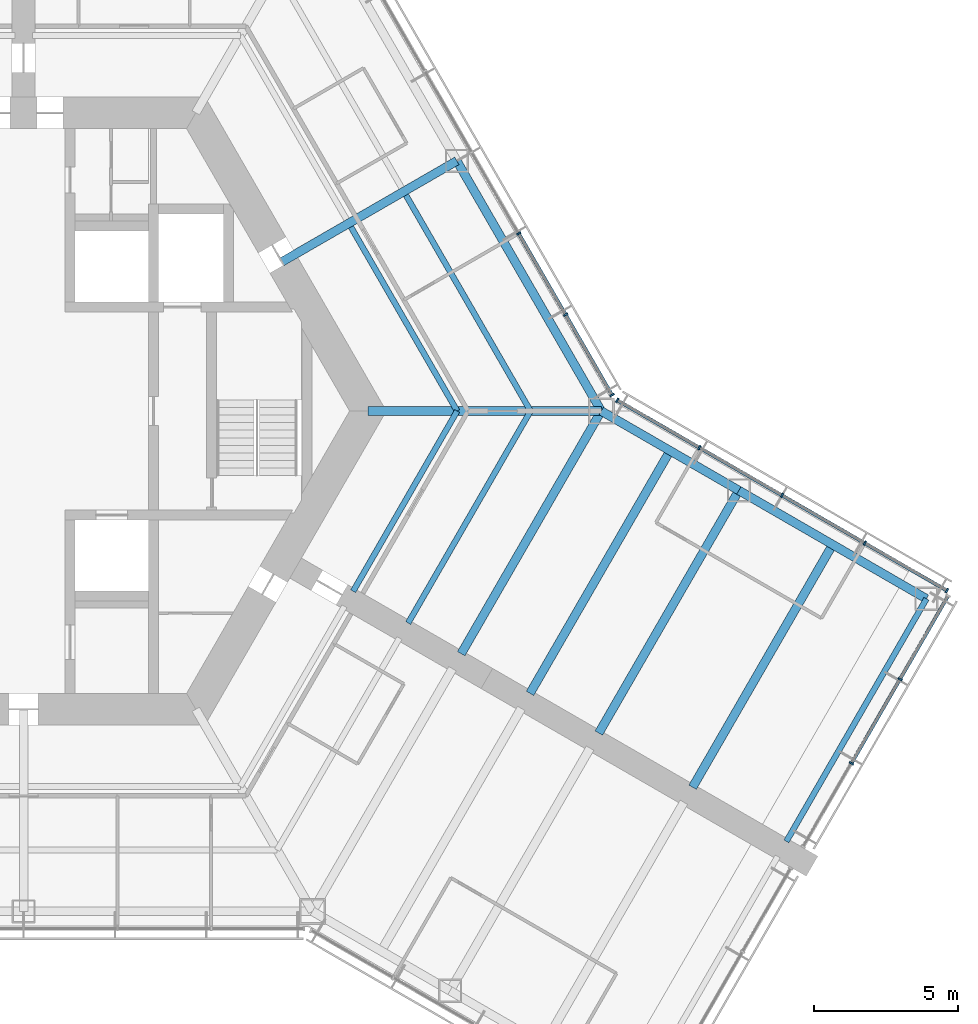
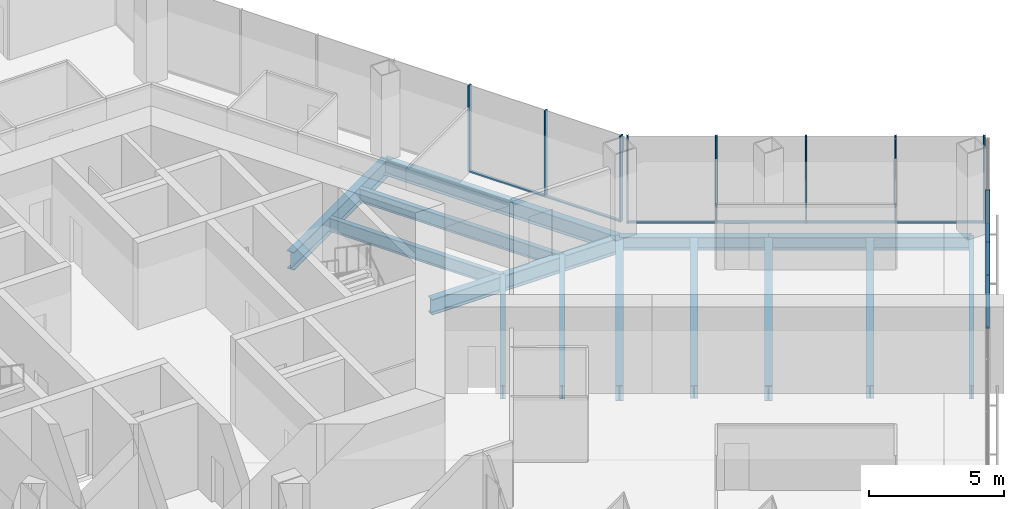
# One storey, part 6 of 19: 18 members, 14 beams, 3 elements without a shape of their own.
"""IFC4 building model written with IfcOpenShell, lengths in metres."""

from ifc_helpers import new_model, si_unit, direction, frame, origin, origin_2d, place, context, subcontext, project, spatial, rectangle, i_section, extrude, material, material_profile, profile_set, type_object, element, aggregate, save


model = new_model("IFC4")

# Units and contexts
model_context = context("Model", 3, precision=1e-05, world=origin(), true_north=direction((0.0, 1.0)))
body_context = subcontext(model_context, "Body", "Model", "MODEL_VIEW")
ifc_project = project(units=[si_unit("LENGTHUNIT", "METRE"), si_unit("AREAUNIT", "SQUARE_METRE"), si_unit("VOLUMEUNIT", "CUBIC_METRE"), si_unit("PLANEANGLEUNIT", "RADIAN"), si_unit("MASSUNIT", "GRAM", prefix="KILO")], contexts=[model_context])

# Site, building, storey
site_placement = place(None, origin())
site = spatial("IfcSite", under=ifc_project, at=site_placement, CompositionType="ELEMENT")
building_placement = place(site_placement, origin())
building = spatial("IfcBuilding", under=site, at=building_placement, Name="Kasaneha Research Tower", CompositionType="ELEMENT")
storey_placement = place(building_placement, frame((0.0, 0.0, 92.39990234375)))
storey = spatial("IfcBuildingStorey", under=building, at=storey_placement, Name="L23", CompositionType="ELEMENT", Elevation=92.39990234375)

# Beams
ifc_material_1 = material(Name="Steel SN490B", Category="steel")
ifc_material_profile_1 = material_profile(ifc_material_1, i_section(OverallWidth=0.199951171875, OverallDepth=0.60009765625, WebThickness=0.010986328125, FlangeThickness=0.01708984375, FilletRadius=0.012939453125, at=origin_2d()), Name="H-600x200x11x17")
ifc_profile_set_1 = profile_set([ifc_material_profile_1], Name="Steel SN490B")
beam_type_1 = type_object("IfcBeamType", Name="B1-3 secondary beam H-600x200x11x17", PredefinedType="JOIST", material=ifc_profile_set_1)
beam_1_placement = place(storey_placement, frame((15.010986328125, 0.0, -0.449951171875), z_axis=(-0.499994443168, 0.866028611999, 0.0), x_axis=(-0.866028611999, -0.499994443168, 0.0)))
element("IfcBeam", 1, at=beam_1_placement, inside=storey, type_object=beam_type_1, Name="Secondary beam RS030L1 L23", PredefinedType="JOIST", context=body_context, shape_type="SweptSolid", body=[
    extrude(i_section(OverallWidth=0.199951171875, OverallDepth=0.60009765625, WebThickness=0.010986328125, FlangeThickness=0.01708984375, FilletRadius=0.012939453125, at=origin_2d()), origin(), (0.0, 0.0, 1.0), 7.35546875),
])
beam_2_placement = place(storey_placement, frame((17.551513671875, 0.0, -0.449951171875), z_axis=(-0.5000050195, 0.866022505755, 0.0), x_axis=(-0.866022505755, -0.5000050195, 0.0)))
element("IfcBeam", 2, at=beam_2_placement, inside=storey, type_object=beam_type_1, Name="Secondary beam RS030L2 L23", PredefinedType="JOIST", context=body_context, shape_type="SweptSolid", body=[
    extrude(i_section(OverallWidth=0.199951171875, OverallDepth=0.60009765625, WebThickness=0.010986328125, FlangeThickness=0.01708984375, FilletRadius=0.012939453125, at=origin_2d()), origin(), (0.0, 0.0, 1.0), 8.6259765625),
])
beam_3_placement = place(storey_placement, frame((15.010986328125, 0.0, -0.449951171875), z_axis=(-0.499972735707, -0.866041144259, 0.0), x_axis=(0.866041144259, -0.499972735707, 0.0)))
element("IfcBeam", 3, at=beam_3_placement, inside=storey, type_object=beam_type_1, Name="Secondary beam RS330R1 L23", PredefinedType="JOIST", context=body_context, shape_type="SweptSolid", body=[
    extrude(i_section(OverallWidth=0.199951171875, OverallDepth=0.60009765625, WebThickness=0.010986328125, FlangeThickness=0.01708984375, FilletRadius=0.012939453125, at=origin_2d()), origin(), (0.0, 0.0, 1.0), 7.20556640625),
])
beam_4_placement = place(storey_placement, frame((17.551513671875, 0.0, -0.449951171875), z_axis=(-0.500020829043, -0.866013377797, 0.0), x_axis=(0.866013377797, -0.500020829043, 0.0)))
element("IfcBeam", 4, at=beam_4_placement, inside=storey, type_object=beam_type_1, Name="Secondary beam RS330R2 L23", PredefinedType="JOIST", context=body_context, shape_type="SweptSolid", body=[
    extrude(i_section(OverallWidth=0.199951171875, OverallDepth=0.60009765625, WebThickness=0.010986328125, FlangeThickness=0.01708984375, FilletRadius=0.012939453125, at=origin_2d()), origin(), (0.0, 0.0, 1.0), 8.475830078125),
])
ifc_material_2 = material(Name="Steel SN490B", Category="steel")
ifc_material_profile_2 = material_profile(ifc_material_2, i_section(OverallWidth=0.300048828125, OverallDepth=0.58203125, WebThickness=0.011962890625, FlangeThickness=0.01708984375, FilletRadius=0.012939453125, at=origin_2d()), Name="H-582x300x12x17")
ifc_profile_set_2 = profile_set([ifc_material_profile_2], Name="Steel SN490B")
beam_type_2 = type_object("IfcBeamType", Name="B2-3 secondary beam H-582x300x12x17", PredefinedType="JOIST", material=ifc_profile_set_2)
for number, where, z_axis, x_axis, name in (
    (5, (22.381591796875, -1.375, -0.44091796875), (-0.500010041276, -0.866019606374, 0.0), (0.866019606374, -0.500010041276, 0.0), "Secondary beam WBCN1 L23"),
    (6, (28.0107421875, -4.625, -0.44091796875), (-0.500010041276, -0.866019606374, 0.0), (0.866019606374, -0.500010041276, 0.0), "Secondary beam WBCN2 L23"),
):
    element("IfcBeam", number, at=place(storey_placement, frame(where, z_axis=z_axis, x_axis=x_axis)), inside=storey, type_object=beam_type_2, Name=name, PredefinedType="JOIST", context=body_context, shape_type="SweptSolid", body=[
        extrude(i_section(OverallWidth=0.300048828125, OverallDepth=0.58203125, WebThickness=0.011962890625, FlangeThickness=0.01708984375, FilletRadius=0.012939453125, at=origin_2d()), origin(), (0.0, 0.0, 1.0), 9.699951171875),
    ])

# Curtain wall, members
ifc_material_3 = material(Name="Glass and aluminium", Category="aluminium")
curtain_wall_type = type_object("IfcCurtainWallType", Name="Low-rise office curtain wall", PredefinedType="USERDEFINED", material=ifc_material_3)
curtain_wall_1_placement = place(storey_placement, origin())
curtain_wall_1 = element("IfcCurtainWall", 7, at=curtain_wall_1_placement, inside=storey, type_object=curtain_wall_type, Name="CW-O1 L23 run 05a", ObjectType="UNITISED CURTAIN WALL", PredefinedType="USERDEFINED")
ifc_material_4 = material(Name="Aluminium 6063-T6", Category="aluminium")
ifc_material_profile_3 = material_profile(ifc_material_4, rectangle(XDim=0.06005859375, YDim=0.159912109375, at=origin_2d()), Name="CW-O1 mullion 60x160")
ifc_profile_set_3 = profile_set([ifc_material_profile_3], Name="Aluminium 6063-T6")
member_type_1 = type_object("IfcMemberType", Name="CW-O1 mullion", PredefinedType="MULLION", material=ifc_profile_set_3)
member_1_placement = place(storey_placement, frame((28.661376953125, -12.1982421875, 0.0), z_axis=(0.0, 0.0, 1.0), x_axis=(0.500000011442, 0.866025397178, 0.0)))
member_1 = element("IfcMember", 8, at=member_1_placement, type_object=member_type_1, Name="CW-O1 mullion 2", PredefinedType="MULLION", context=body_context, shape_type="SweptSolid", body=[
    extrude(rectangle(XDim=0.06005859375, YDim=0.159912109375, at=origin_2d()), origin(), (0.0, 0.0, 1.0), 3.900146484375),
])
member_2_placement = place(storey_placement, frame((30.3447265625, -9.28271484375, 0.0), z_axis=(0.0, 0.0, 1.0), x_axis=(0.500000011442, 0.866025397178, 0.0)))
member_2 = element("IfcMember", 9, at=member_2_placement, type_object=member_type_1, Name="CW-O1 mullion 3", PredefinedType="MULLION", context=body_context, shape_type="SweptSolid", body=[
    extrude(rectangle(XDim=0.06005859375, YDim=0.159912109375, at=origin_2d()), origin(), (0.0, 0.0, 1.0), 3.900146484375),
])

curtain_wall_2_placement = place(storey_placement, origin())
curtain_wall_2 = element("IfcCurtainWall", 10, at=curtain_wall_2_placement, inside=storey, type_object=curtain_wall_type, Name="CW-O1 L23 run 06a", ObjectType="UNITISED CURTAIN WALL", PredefinedType="USERDEFINED")
member_3_placement = place(storey_placement, frame((31.96533203125, -6.21533203125, 0.0), z_axis=(0.0, 0.0, 1.0), x_axis=(-0.866025411464, 0.499999986699, 0.0)))
member_3 = element("IfcMember", 11, at=member_3_placement, type_object=member_type_1, Name="CW-O1 mullion 1", PredefinedType="MULLION", context=body_context, shape_type="SweptSolid", body=[
    extrude(rectangle(XDim=0.06005859375, YDim=0.159912109375, at=origin_2d()), origin(), (0.0, 0.0, 1.0), 3.900146484375),
])
member_4_placement = place(storey_placement, frame((29.125, -4.575439453125, 0.0), z_axis=(0.0, 0.0, 1.0), x_axis=(-0.866025411464, 0.499999986699, 0.0)))
member_4 = element("IfcMember", 12, at=member_4_placement, type_object=member_type_1, Name="CW-O1 mullion 2", PredefinedType="MULLION", context=body_context, shape_type="SweptSolid", body=[
    extrude(rectangle(XDim=0.06005859375, YDim=0.159912109375, at=origin_2d()), origin(), (0.0, 0.0, 1.0), 3.900146484375),
])
member_5_placement = place(storey_placement, frame((26.258544921875, -2.920654296875, 0.0), z_axis=(0.0, 0.0, 1.0), x_axis=(-0.866025411464, 0.499999986699, 0.0)))
member_5 = element("IfcMember", 13, at=member_5_placement, type_object=member_type_1, Name="CW-O1 mullion 3", PredefinedType="MULLION", context=body_context, shape_type="SweptSolid", body=[
    extrude(rectangle(XDim=0.06005859375, YDim=0.159912109375, at=origin_2d()), origin(), (0.0, 0.0, 1.0), 3.900146484375),
])
member_6_placement = place(storey_placement, frame((23.39208984375, -1.265625, 0.0), z_axis=(0.0, 0.0, 1.0), x_axis=(-0.866025411464, 0.499999986699, 0.0)))
member_6 = element("IfcMember", 14, at=member_6_placement, type_object=member_type_1, Name="CW-O1 mullion 4", PredefinedType="MULLION", context=body_context, shape_type="SweptSolid", body=[
    extrude(rectangle(XDim=0.06005859375, YDim=0.159912109375, at=origin_2d()), origin(), (0.0, 0.0, 1.0), 3.900146484375),
])
member_7_placement = place(storey_placement, frame((20.5517578125, 0.374267578125, 0.0), z_axis=(0.0, 0.0, 1.0), x_axis=(-0.866025411464, 0.499999986699, 0.0)))
member_7 = element("IfcMember", 15, at=member_7_placement, type_object=member_type_1, Name="CW-O1 mullion 5", PredefinedType="MULLION", context=body_context, shape_type="SweptSolid", body=[
    extrude(rectangle(XDim=0.06005859375, YDim=0.159912109375, at=origin_2d()), origin(), (0.0, 0.0, 1.0), 3.900146484375),
])

curtain_wall_3_placement = place(storey_placement, origin())
curtain_wall_3 = element("IfcCurtainWall", 16, at=curtain_wall_3_placement, inside=storey, type_object=curtain_wall_type, Name="CW-O1 L23 run 07a", ObjectType="UNITISED CURTAIN WALL", PredefinedType="USERDEFINED")
member_8_placement = place(storey_placement, frame((20.374267578125, 0.5517578125, 0.0), z_axis=(0.0, 0.0, 1.0), x_axis=(-0.49999996188, 0.866025425793, 0.0)))
member_8 = element("IfcMember", 17, at=member_8_placement, type_object=member_type_1, Name="CW-O1 mullion 1", PredefinedType="MULLION", context=body_context, shape_type="SweptSolid", body=[
    extrude(rectangle(XDim=0.06005859375, YDim=0.159912109375, at=origin_2d()), origin(), (0.0, 0.0, 1.0), 3.900146484375),
])
member_9_placement = place(storey_placement, frame((18.76611328125, 3.33740234375, 0.0), z_axis=(0.0, 0.0, 1.0), x_axis=(-0.49999996188, 0.866025425793, 0.0)))
member_9 = element("IfcMember", 18, at=member_9_placement, type_object=member_type_1, Name="CW-O1 mullion 2", PredefinedType="MULLION", context=body_context, shape_type="SweptSolid", body=[
    extrude(rectangle(XDim=0.06005859375, YDim=0.159912109375, at=origin_2d()), origin(), (0.0, 0.0, 1.0), 3.900146484375),
])
member_10_placement = place(storey_placement, frame((17.142822265625, 6.148681640625, 0.0), z_axis=(0.0, 0.0, 1.0), x_axis=(-0.49999996188, 0.866025425793, 0.0)))
member_10 = element("IfcMember", 19, at=member_10_placement, type_object=member_type_1, Name="CW-O1 mullion 3", PredefinedType="MULLION", context=body_context, shape_type="SweptSolid", body=[
    extrude(rectangle(XDim=0.06005859375, YDim=0.159912109375, at=origin_2d()), origin(), (0.0, 0.0, 1.0), 3.900146484375),
])

# Member
ifc_material_5 = material(Name="Aluminium 6063-T6", Category="aluminium")
ifc_material_profile_4 = material_profile(ifc_material_5, rectangle(XDim=0.1201171875, YDim=0.06005859375, at=origin_2d()), Name="CW-O1 transom 120x60")
ifc_profile_set_4 = profile_set([ifc_material_profile_4], Name="Aluminium 6063-T6")
member_type_2 = type_object("IfcMemberType", Name="CW-O1 transom", PredefinedType="USERDEFINED", material=ifc_profile_set_4)
member_11_placement = place(storey_placement, frame((28.67626953125, -12.17236328125, 0.030029296875), z_axis=(0.499982354831, 0.866035590988, 0.0), x_axis=(-0.866035590988, 0.499982354831, 0.0)))
member_11 = element("IfcMember", 20, at=member_11_placement, type_object=member_type_2, Name="CW-O1 transom 2", ObjectType="TRANSOM", PredefinedType="USERDEFINED", context=body_context, shape_type="SweptSolid", body=[
    extrude(rectangle(XDim=0.1201171875, YDim=0.06005859375, at=origin_2d()), origin(), (0.0, 0.0, 1.0), 3.306640625),
])

member_12_placement = place(storey_placement, frame((30.359619140625, -9.256591796875, 0.030029296875), z_axis=(0.500025583411, 0.866010632691, 0.0), x_axis=(-0.866010632691, 0.500025583411, 0.0)))
member_12 = element("IfcMember", 21, at=member_12_placement, type_object=member_type_2, Name="CW-O1 transom 3", ObjectType="TRANSOM", PredefinedType="USERDEFINED", context=body_context, shape_type="SweptSolid", body=[
    extrude(rectangle(XDim=0.1201171875, YDim=0.06005859375, at=origin_2d()), origin(), (0.0, 0.0, 1.0), 3.276611328125),
])

aggregate(curtain_wall_1, [member_1, member_2, member_11, member_12])

member_13_placement = place(storey_placement, frame((31.939453125, -6.200439453125, 0.030029296875), z_axis=(-0.866041647767, 0.499971863542, 0.0), x_axis=(-0.499971863542, -0.866041647767, 0.0)))
member_13 = element("IfcMember", 22, at=member_13_placement, type_object=member_type_2, Name="CW-O1 transom 1", ObjectType="TRANSOM", PredefinedType="USERDEFINED", context=body_context, shape_type="SweptSolid", body=[
    extrude(rectangle(XDim=0.1201171875, YDim=0.06005859375, at=origin_2d()), origin(), (0.0, 0.0, 1.0), 3.219970703125),
])

member_14_placement = place(storey_placement, frame((29.098876953125, -4.560546875, 0.030029296875), z_axis=(-0.86599666273, 0.500049777664, 0.0), x_axis=(-0.500049777664, -0.86599666273, 0.0)))
member_14 = element("IfcMember", 23, at=member_14_placement, type_object=member_type_2, Name="CW-O1 transom 2", ObjectType="TRANSOM", PredefinedType="USERDEFINED", context=body_context, shape_type="SweptSolid", body=[
    extrude(rectangle(XDim=0.1201171875, YDim=0.06005859375, at=origin_2d()), origin(), (0.0, 0.0, 1.0), 3.249755859375),
])

member_15_placement = place(storey_placement, frame((26.232666015625, -2.905517578125, 0.030029296875), z_axis=(-0.86604797581, 0.499960902066, 0.0), x_axis=(-0.499960902066, -0.86604797581, 0.0)))
member_15 = element("IfcMember", 24, at=member_15_placement, type_object=member_type_2, Name="CW-O1 transom 3", ObjectType="TRANSOM", PredefinedType="USERDEFINED", context=body_context, shape_type="SweptSolid", body=[
    extrude(rectangle(XDim=0.1201171875, YDim=0.06005859375, at=origin_2d()), origin(), (0.0, 0.0, 1.0), 3.249755859375),
])

member_16_placement = place(storey_placement, frame((23.3662109375, -1.250732421875, 0.030029296875), z_axis=(-0.866022692473, 0.500004696101, 0.0), x_axis=(-0.500004696101, -0.866022692473, 0.0)))
member_16 = element("IfcMember", 25, at=member_16_placement, type_object=member_type_2, Name="CW-O1 transom 4", ObjectType="TRANSOM", PredefinedType="USERDEFINED", context=body_context, shape_type="SweptSolid", body=[
    extrude(rectangle(XDim=0.1201171875, YDim=0.06005859375, at=origin_2d()), origin(), (0.0, 0.0, 1.0), 3.2197265625),
])

aggregate(curtain_wall_2, [member_3, member_4, member_5, member_6, member_7, member_13, member_14, member_15, member_16])

member_17_placement = place(storey_placement, frame((20.359130859375, 0.577880859375, 0.030029296875), z_axis=(-0.499999210213, 0.866025859768, 0.0), x_axis=(-0.866025859768, -0.499999210213, 0.0)))
member_17 = element("IfcMember", 26, at=member_17_placement, type_object=member_type_2, Name="CW-O1 transom 1", ObjectType="TRANSOM", PredefinedType="USERDEFINED", context=body_context, shape_type="SweptSolid", body=[
    extrude(rectangle(XDim=0.1201171875, YDim=0.06005859375, at=origin_2d()), origin(), (0.0, 0.0, 1.0), 3.15625),
])

member_18_placement = place(storey_placement, frame((18.7509765625, 3.36328125, 0.030029296875), z_axis=(-0.500012062035, 0.866018439653, 0.0), x_axis=(-0.866018439653, -0.500012062035, 0.0)))
member_18 = element("IfcMember", 27, at=member_18_placement, type_object=member_type_2, Name="CW-O1 transom 2", ObjectType="TRANSOM", PredefinedType="USERDEFINED", context=body_context, shape_type="SweptSolid", body=[
    extrude(rectangle(XDim=0.1201171875, YDim=0.06005859375, at=origin_2d()), origin(), (0.0, 0.0, 1.0), 3.1865234375),
])

aggregate(curtain_wall_3, [member_8, member_9, member_10, member_17, member_18])

# Beams
ifc_material_6 = material(Name="Steel SN490B", Category="steel")
ifc_material_profile_5 = material_profile(ifc_material_6, i_section(OverallWidth=0.300048828125, OverallDepth=0.699951171875, WebThickness=0.012939453125, FlangeThickness=0.02392578125, FilletRadius=0.01806640625, at=origin_2d()), Name="H-700x300x13x24")
ifc_profile_set_5 = profile_set([ifc_material_profile_5], Name="Steel SN490B")
beam_type_3 = type_object("IfcBeamType", Name="G1-3 radial girder H-700x300x13x24", PredefinedType="BEAM", material=ifc_profile_set_5)
beam_5_placement = place(storey_placement, frame((11.92236328125, 0.0, -0.5), z_axis=(1.0, 0.0, 0.0), x_axis=(0.0, 1.0, 0.0)))
element("IfcBeam", 28, at=beam_5_placement, inside=storey, type_object=beam_type_3, Name="Radial girder RV000 L23", PredefinedType="BEAM", context=body_context, shape_type="SweptSolid", body=[
    extrude(i_section(OverallWidth=0.300048828125, OverallDepth=0.699951171875, WebThickness=0.012939453125, FlangeThickness=0.02392578125, FilletRadius=0.01806640625, at=origin_2d()), origin(), (0.0, 0.0, 1.0), 8.07763671875),
])
ifc_material_7 = material(Name="Steel SN490B", Category="steel")
ifc_material_profile_6 = material_profile(ifc_material_7, i_section(OverallWidth=0.300048828125, OverallDepth=0.800048828125, WebThickness=0.013916015625, FlangeThickness=0.02587890625, FilletRadius=0.01806640625, at=origin_2d()), Name="H-800x300x14x26")
ifc_profile_set_6 = profile_set([ifc_material_profile_6], Name="Steel SN490B")
beam_type_4 = type_object("IfcBeamType", Name="G2-3 radial girder H-800x300x14x26", PredefinedType="BEAM", material=ifc_profile_set_6)
beam_6_placement = place(storey_placement, frame((8.941650390625, 5.16259765625, -0.5498046875), z_axis=(0.866039713508, 0.499975214012, 0.0), x_axis=(-0.499975214012, 0.866039713508, 0.0)))
element("IfcBeam", 29, at=beam_6_placement, inside=storey, type_object=beam_type_4, Name="Radial girder RM030 L23", PredefinedType="BEAM", context=body_context, shape_type="SweptSolid", body=[
    extrude(i_section(OverallWidth=0.300048828125, OverallDepth=0.800048828125, WebThickness=0.013916015625, FlangeThickness=0.02587890625, FilletRadius=0.01806640625, at=origin_2d()), origin(), (0.0, 0.0, 1.0), 6.995361328125),
])
ifc_material_8 = material(Name="Steel SN490B", Category="steel")
ifc_material_profile_7 = material_profile(ifc_material_8, i_section(OverallWidth=0.300048828125, OverallDepth=0.69189453125, WebThickness=0.012939453125, FlangeThickness=0.02001953125, FilletRadius=0.01806640625, at=origin_2d()), Name="H-692x300x13x20")
ifc_profile_set_7 = profile_set([ifc_material_profile_7], Name="Steel SN490B")
beam_type_5 = type_object("IfcBeamType", Name="G3-3 plate edge girder H-692x300x13x20", PredefinedType="BEAM", material=ifc_profile_set_7)
beam_7_placement = place(storey_placement, frame((20.0, 0.0, -0.495849609375), z_axis=(-0.500010041276, -0.866019606374, 0.0), x_axis=(0.866019606374, -0.500010041276, 0.0)))
element("IfcBeam", 30, at=beam_7_placement, inside=storey, type_object=beam_type_5, Name="Plate edge girder PECN L23", PredefinedType="BEAM", context=body_context, shape_type="SweptSolid", body=[
    extrude(i_section(OverallWidth=0.300048828125, OverallDepth=0.69189453125, WebThickness=0.012939453125, FlangeThickness=0.02001953125, FilletRadius=0.01806640625, at=origin_2d()), origin(), (0.0, 0.0, 1.0), 9.699951171875),
])
ifc_material_9 = material(Name="Steel SN490B", Category="steel")
ifc_material_profile_8 = material_profile(ifc_material_9, i_section(OverallWidth=0.300048828125, OverallDepth=0.699951171875, WebThickness=0.012939453125, FlangeThickness=0.02392578125, FilletRadius=0.01806640625, at=origin_2d()), Name="H-700x300x13x24")
ifc_profile_set_8 = profile_set([ifc_material_profile_8], Name="Steel SN490B")
beam_type_6 = type_object("IfcBeamType", Name="G4-3 wing girder H-700x300x13x24", PredefinedType="BEAM", material=ifc_profile_set_8)
beam_8_placement = place(storey_placement, frame((24.76318359375, -2.75, -0.5), z_axis=(-0.500010041276, -0.866019606374, 0.0), x_axis=(0.866019606374, -0.500010041276, 0.0)))
element("IfcBeam", 31, at=beam_8_placement, inside=storey, type_object=beam_type_6, Name="Wing girder WGCN L23", PredefinedType="BEAM", context=body_context, shape_type="SweptSolid", body=[
    extrude(i_section(OverallWidth=0.300048828125, OverallDepth=0.699951171875, WebThickness=0.012939453125, FlangeThickness=0.02392578125, FilletRadius=0.01806640625, at=origin_2d()), origin(), (0.0, 0.0, 1.0), 9.699951171875),
])
ifc_material_10 = material(Name="Steel SN490B", Category="steel")
ifc_material_profile_9 = material_profile(ifc_material_10, i_section(OverallWidth=0.300048828125, OverallDepth=0.69189453125, WebThickness=0.012939453125, FlangeThickness=0.02001953125, FilletRadius=0.01806640625, at=origin_2d()), Name="H-692x300x13x20")
ifc_profile_set_9 = profile_set([ifc_material_profile_9], Name="Steel SN490B")
beam_type_7 = type_object("IfcBeamType", Name="SB1-3 spandrel beam H-692x300x13x20", PredefinedType="SPANDREL", material=ifc_profile_set_9)
beam_9_placement = place(storey_placement, frame((20.0, 0.0, -0.495849609375), z_axis=(-0.500004234368, 0.866022959057, 0.0), x_axis=(-0.866022959057, -0.500004234368, 0.0)))
element("IfcBeam", 32, at=beam_9_placement, inside=storey, type_object=beam_type_7, Name="Spandrel beam SR030L L23", PredefinedType="SPANDREL", context=body_context, shape_type="SweptSolid", body=[
    extrude(i_section(OverallWidth=0.300048828125, OverallDepth=0.69189453125, WebThickness=0.012939453125, FlangeThickness=0.02001953125, FilletRadius=0.01806640625, at=origin_2d()), origin(), (0.0, 0.0, 1.0), 10.0),
])
ifc_material_11 = material(Name="Steel SN490B", Category="steel")
ifc_material_profile_10 = material_profile(ifc_material_11, i_section(OverallWidth=0.300048828125, OverallDepth=0.58203125, WebThickness=0.011962890625, FlangeThickness=0.01708984375, FilletRadius=0.012939453125, at=origin_2d()), Name="H-582x300x12x17")
ifc_profile_set_10 = profile_set([ifc_material_profile_10], Name="Steel SN490B")
beam_type_8 = type_object("IfcBeamType", Name="SB2-3 spandrel beam H-582x300x12x17", PredefinedType="SPANDREL", material=ifc_profile_set_10)
beam_10_placement = place(storey_placement, frame((20.0, 0.0, -0.44091796875), z_axis=(0.866027397988, -0.499996545922, 0.0), x_axis=(0.499996545922, 0.866027397988, 0.0)))
element("IfcBeam", 33, at=beam_10_placement, inside=storey, type_object=beam_type_8, Name="Spandrel beam WSCN1 L23", PredefinedType="SPANDREL", context=body_context, shape_type="SweptSolid", body=[
    extrude(i_section(OverallWidth=0.300048828125, OverallDepth=0.58203125, WebThickness=0.011962890625, FlangeThickness=0.01708984375, FilletRadius=0.012939453125, at=origin_2d()), origin(), (0.0, 0.0, 1.0), 5.5),
])
beam_11_placement = place(storey_placement, frame((24.76318359375, -2.75, -0.44091796875), z_axis=(0.866022959057, -0.500004234368, 0.0), x_axis=(0.500004234368, 0.866022959057, 0.0)))
element("IfcBeam", 34, at=beam_11_placement, inside=storey, type_object=beam_type_8, Name="Spandrel beam WSCN2 L23", PredefinedType="SPANDREL", context=body_context, shape_type="SweptSolid", body=[
    extrude(i_section(OverallWidth=0.300048828125, OverallDepth=0.58203125, WebThickness=0.011962890625, FlangeThickness=0.01708984375, FilletRadius=0.012939453125, at=origin_2d()), origin(), (0.0, 0.0, 1.0), 7.5),
])
ifc_material_12 = material(Name="Steel SN490B", Category="steel")
ifc_material_profile_11 = material_profile(ifc_material_12, i_section(OverallWidth=0.199951171875, OverallDepth=0.60009765625, WebThickness=0.010986328125, FlangeThickness=0.01708984375, FilletRadius=0.012939453125, at=origin_2d()), Name="H-600x200x11x17")
ifc_profile_set_11 = profile_set([ifc_material_profile_11], Name="Steel SN490B")
beam_type_9 = type_object("IfcBeamType", Name="SB3-3 spandrel beam H-600x200x11x17", PredefinedType="SPANDREL", material=ifc_profile_set_11)
beam_12_placement = place(storey_placement, frame((31.25830078125, -6.5, -0.449951171875), z_axis=(-0.499991164321, -0.866030505006, 0.0), x_axis=(0.866030505006, -0.499991164321, 0.0)))
element("IfcBeam", 35, at=beam_12_placement, inside=storey, type_object=beam_type_9, Name="Spandrel beam WTCN L23", PredefinedType="SPANDREL", context=body_context, shape_type="SweptSolid", body=[
    extrude(i_section(OverallWidth=0.199951171875, OverallDepth=0.60009765625, WebThickness=0.010986328125, FlangeThickness=0.01708984375, FilletRadius=0.012939453125, at=origin_2d()), origin(), (0.0, 0.0, 1.0), 9.699951171875),
])

save(model, "model.ifc")
